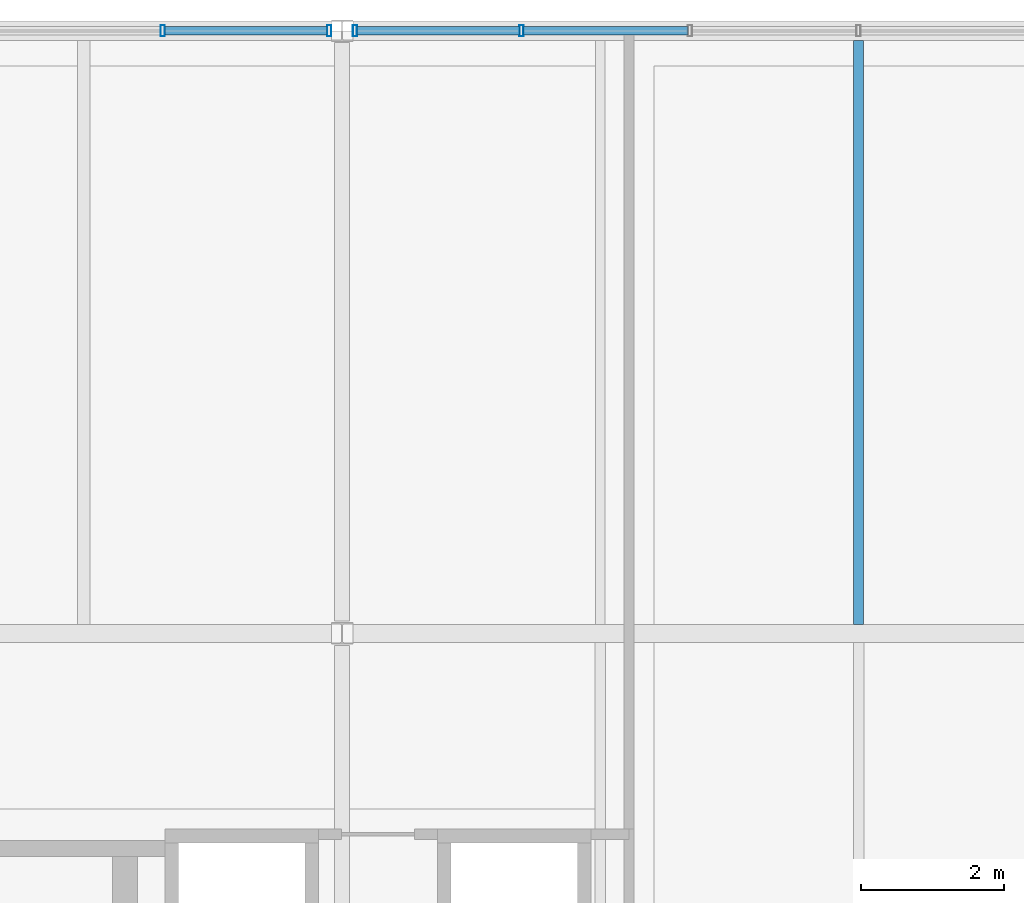
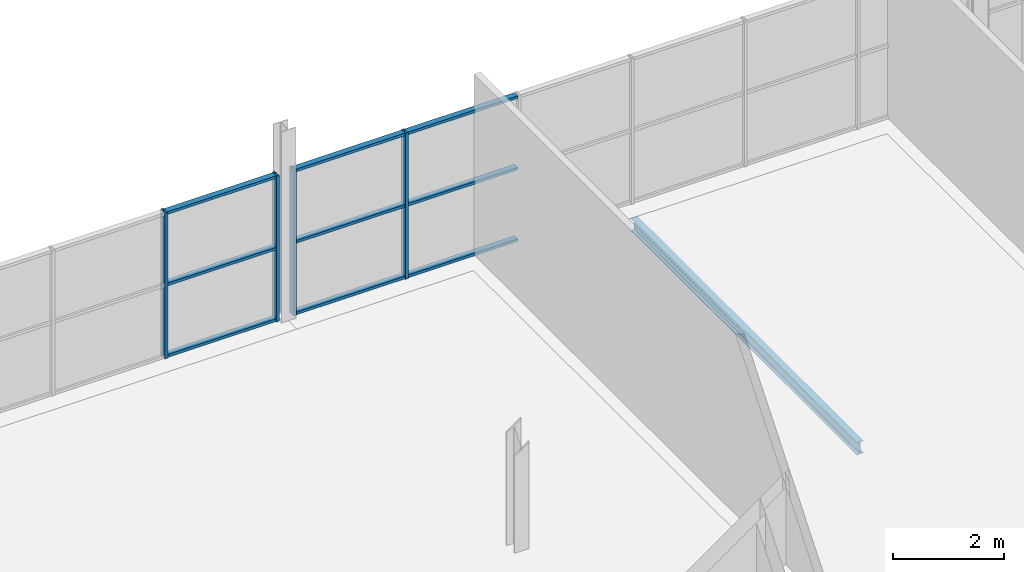
# One storey, part 38 of 68: 13 members, 1 beam, 2 elements without a shape of their own.
"""IFC4 building model written with IfcOpenShell, lengths in metres."""

from ifc_helpers import new_model, si_unit, direction, frame, origin, origin_2d, place, context, subcontext, project, spatial, hollow_rectangle, i_section, extrude, material, material_profile, profile_set, type_object, element, aggregate, save


model = new_model("IFC4")

# Units and contexts
model_context = context("Model", 3, precision=1e-05, world=origin(), true_north=direction((0.0, 1.0)))
body_context = subcontext(model_context, "Body", "Model", "MODEL_VIEW")
ifc_project = project(units=[si_unit("LENGTHUNIT", "METRE"), si_unit("AREAUNIT", "SQUARE_METRE"), si_unit("VOLUMEUNIT", "CUBIC_METRE"), si_unit("PLANEANGLEUNIT", "RADIAN"), si_unit("MASSUNIT", "GRAM", prefix="KILO"), si_unit("THERMODYNAMICTEMPERATUREUNIT", "KELVIN")], contexts=[model_context])

# Site, building, storey
site_placement = place(None, origin())
site = spatial("IfcSite", under=ifc_project, at=site_placement, CompositionType="ELEMENT")
building_placement = place(site_placement, origin())
building = spatial("IfcBuilding", under=site, at=building_placement, Name="Nduvali Passage Aquatics Centre", CompositionType="ELEMENT")
storey_placement = place(building_placement, frame((0.0, 0.0, 13.199951171875)))
storey = spatial("IfcBuildingStorey", under=building, at=storey_placement, Name="L03", CompositionType="ELEMENT", Elevation=13.199951171875)

# Curtain wall, members
ifc_material_1 = material(Name="Aluminium EN AW-6063 T6", Category="aluminium")
curtain_wall_type = type_object("IfcCurtainWallType", Name="ENV-CW-WELL", PredefinedType="NOTDEFINED", material=ifc_material_1)
curtain_wall_1_placement = place(storey_placement, origin())
curtain_wall_1 = element("IfcCurtainWall", 1, at=curtain_wall_1_placement, inside=storey, type_object=curtain_wall_type, Name="L03 North Avenue Teaching CW 105", PredefinedType="NOTDEFINED")
ifc_material_profile_1 = material_profile(ifc_material_1, hollow_rectangle(XDim=0.06005859375, YDim=0.159912109375, WallThickness=0.00390625, at=origin_2d()), Name="ALU MULLION 60x160x4")
ifc_profile_set_1 = profile_set([ifc_material_profile_1], Name="Aluminium EN AW-6063 T6")
member_type_1 = type_object("IfcMemberType", Name="ENV-MEM-MUL60", PredefinedType="MULLION", material=ifc_profile_set_1)
member_1_placement = place(storey_placement, frame((80.300048828125, 117.60009765625, 0.0), z_axis=(0.0, 0.0, 1.0), x_axis=(1.0, 0.0, 0.0)))
member_1 = element("IfcMember", 2, at=member_1_placement, type_object=member_type_1, Name="North Avenue Teaching CW Mullion 6", PredefinedType="MULLION", context=body_context, shape_type="SweptSolid", body=[
    extrude(hollow_rectangle(XDim=0.06005859375, YDim=0.159912109375, WallThickness=0.00390625, at=origin_2d()), origin(), (0.0, 0.0, 1.0), 3.203857421875),
])
member_2_placement = place(storey_placement, frame((82.6201171875, 117.60009765625, 0.0), z_axis=(0.0, 0.0, 1.0), x_axis=(1.0, 0.0, 0.0)))
member_2 = element("IfcMember", 3, at=member_2_placement, type_object=member_type_1, Name="North Avenue Teaching CW Mullion 7", PredefinedType="MULLION", context=body_context, shape_type="SweptSolid", body=[
    extrude(hollow_rectangle(XDim=0.06005859375, YDim=0.159912109375, WallThickness=0.00390625, at=origin_2d()), origin(), (0.0, 0.0, 1.0), 3.203857421875),
])

curtain_wall_2_placement = place(storey_placement, origin())
curtain_wall_2 = element("IfcCurtainWall", 4, at=curtain_wall_2_placement, inside=storey, type_object=curtain_wall_type, Name="L03 North Avenue Teaching CW 110", PredefinedType="NOTDEFINED")
member_3_placement = place(storey_placement, frame((82.97998046875, 117.60009765625, 0.0), z_axis=(0.0, 0.0, 1.0), x_axis=(1.0, 0.0, 0.0)))
member_3 = element("IfcMember", 5, at=member_3_placement, type_object=member_type_1, Name="North Avenue Teaching CW Mullion 1", PredefinedType="MULLION", context=body_context, shape_type="SweptSolid", body=[
    extrude(hollow_rectangle(XDim=0.06005859375, YDim=0.159912109375, WallThickness=0.00390625, at=origin_2d()), origin(), (0.0, 0.0, 1.0), 3.203857421875),
])
member_4_placement = place(storey_placement, frame((85.300048828125, 117.60009765625, 0.0), z_axis=(0.0, 0.0, 1.0), x_axis=(1.0, 0.0, 0.0)))
member_4 = element("IfcMember", 6, at=member_4_placement, type_object=member_type_1, Name="North Avenue Teaching CW Mullion 2", PredefinedType="MULLION", context=body_context, shape_type="SweptSolid", body=[
    extrude(hollow_rectangle(XDim=0.06005859375, YDim=0.159912109375, WallThickness=0.00390625, at=origin_2d()), origin(), (0.0, 0.0, 1.0), 3.203857421875),
])

# Member
ifc_material_profile_2 = material_profile(ifc_material_1, hollow_rectangle(XDim=0.1201171875, YDim=0.06005859375, WallThickness=0.00390625, at=origin_2d()), Name="ALU TRANSOM 120x60x4")
ifc_profile_set_2 = profile_set([ifc_material_profile_2], Name="Aluminium EN AW-6063 T6")
member_type_2 = type_object("IfcMemberType", Name="ENV-MEM-TRN60", PredefinedType="USERDEFINED", material=ifc_profile_set_2)
member_5_placement = place(storey_placement, frame((80.330078125, 117.60009765625, 0.030029296875), z_axis=(1.0, 0.0, 0.0), x_axis=(0.0, 1.0, 0.0)))
member_5 = element("IfcMember", 7, at=member_5_placement, type_object=member_type_2, Name="North Avenue Teaching CW Transom B6-R0", ObjectType="TRANSOM", PredefinedType="USERDEFINED", context=body_context, shape_type="SweptSolid", body=[
    extrude(hollow_rectangle(XDim=0.1201171875, YDim=0.06005859375, WallThickness=0.00390625, at=origin_2d()), origin(), (0.0, 0.0, 1.0), 2.260009765625),
])

member_6_placement = place(storey_placement, frame((80.330078125, 117.60009765625, 1.60205078125), z_axis=(1.0, 0.0, 0.0), x_axis=(0.0, 1.0, 0.0)))
member_6 = element("IfcMember", 8, at=member_6_placement, type_object=member_type_2, Name="North Avenue Teaching CW Transom B6-R1", ObjectType="TRANSOM", PredefinedType="USERDEFINED", context=body_context, shape_type="SweptSolid", body=[
    extrude(hollow_rectangle(XDim=0.1201171875, YDim=0.06005859375, WallThickness=0.00390625, at=origin_2d()), origin(), (0.0, 0.0, 1.0), 2.260009765625),
])

member_7_placement = place(storey_placement, frame((80.330078125, 117.60009765625, 3.173828125), z_axis=(1.0, 0.0, 0.0), x_axis=(0.0, 1.0, 0.0)))
member_7 = element("IfcMember", 9, at=member_7_placement, type_object=member_type_2, Name="North Avenue Teaching CW Transom B6-R2", ObjectType="TRANSOM", PredefinedType="USERDEFINED", context=body_context, shape_type="SweptSolid", body=[
    extrude(hollow_rectangle(XDim=0.1201171875, YDim=0.06005859375, WallThickness=0.00390625, at=origin_2d()), origin(), (0.0, 0.0, 1.0), 2.260009765625),
])

aggregate(curtain_wall_1, [member_1, member_2, member_5, member_6, member_7])

member_8_placement = place(storey_placement, frame((83.010009765625, 117.60009765625, 0.030029296875), z_axis=(1.0, 0.0, 0.0), x_axis=(0.0, 1.0, 0.0)))
member_8 = element("IfcMember", 10, at=member_8_placement, type_object=member_type_2, Name="North Avenue Teaching CW Transom B1-R0", ObjectType="TRANSOM", PredefinedType="USERDEFINED", context=body_context, shape_type="SweptSolid", body=[
    extrude(hollow_rectangle(XDim=0.1201171875, YDim=0.06005859375, WallThickness=0.00390625, at=origin_2d()), origin(), (0.0, 0.0, 1.0), 2.260009765625),
])

member_9_placement = place(storey_placement, frame((83.010009765625, 117.60009765625, 1.60205078125), z_axis=(1.0, 0.0, 0.0), x_axis=(0.0, 1.0, 0.0)))
member_9 = element("IfcMember", 11, at=member_9_placement, type_object=member_type_2, Name="North Avenue Teaching CW Transom B1-R1", ObjectType="TRANSOM", PredefinedType="USERDEFINED", context=body_context, shape_type="SweptSolid", body=[
    extrude(hollow_rectangle(XDim=0.1201171875, YDim=0.06005859375, WallThickness=0.00390625, at=origin_2d()), origin(), (0.0, 0.0, 1.0), 2.260009765625),
])

member_10_placement = place(storey_placement, frame((83.010009765625, 117.60009765625, 3.173828125), z_axis=(1.0, 0.0, 0.0), x_axis=(0.0, 1.0, 0.0)))
member_10 = element("IfcMember", 12, at=member_10_placement, type_object=member_type_2, Name="North Avenue Teaching CW Transom B1-R2", ObjectType="TRANSOM", PredefinedType="USERDEFINED", context=body_context, shape_type="SweptSolid", body=[
    extrude(hollow_rectangle(XDim=0.1201171875, YDim=0.06005859375, WallThickness=0.00390625, at=origin_2d()), origin(), (0.0, 0.0, 1.0), 2.260009765625),
])

member_11_placement = place(storey_placement, frame((85.330078125, 117.60009765625, 0.030029296875), z_axis=(1.0, 0.0, 0.0), x_axis=(0.0, 1.0, 0.0)))
member_11 = element("IfcMember", 13, at=member_11_placement, type_object=member_type_2, Name="North Avenue Teaching CW Transom B2-R0", ObjectType="TRANSOM", PredefinedType="USERDEFINED", context=body_context, shape_type="SweptSolid", body=[
    extrude(hollow_rectangle(XDim=0.1201171875, YDim=0.06005859375, WallThickness=0.00390625, at=origin_2d()), origin(), (0.0, 0.0, 1.0), 2.2900390625),
])

member_12_placement = place(storey_placement, frame((85.330078125, 117.60009765625, 1.60205078125), z_axis=(1.0, 0.0, 0.0), x_axis=(0.0, 1.0, 0.0)))
member_12 = element("IfcMember", 14, at=member_12_placement, type_object=member_type_2, Name="North Avenue Teaching CW Transom B2-R1", ObjectType="TRANSOM", PredefinedType="USERDEFINED", context=body_context, shape_type="SweptSolid", body=[
    extrude(hollow_rectangle(XDim=0.1201171875, YDim=0.06005859375, WallThickness=0.00390625, at=origin_2d()), origin(), (0.0, 0.0, 1.0), 2.2900390625),
])

member_13_placement = place(storey_placement, frame((85.330078125, 117.60009765625, 3.173828125), z_axis=(1.0, 0.0, 0.0), x_axis=(0.0, 1.0, 0.0)))
member_13 = element("IfcMember", 15, at=member_13_placement, type_object=member_type_2, Name="North Avenue Teaching CW Transom B2-R2", ObjectType="TRANSOM", PredefinedType="USERDEFINED", context=body_context, shape_type="SweptSolid", body=[
    extrude(hollow_rectangle(XDim=0.1201171875, YDim=0.06005859375, WallThickness=0.00390625, at=origin_2d()), origin(), (0.0, 0.0, 1.0), 2.2900390625),
])

aggregate(curtain_wall_2, [member_3, member_4, member_8, member_9, member_10, member_11, member_12, member_13])

# Beam
ifc_material_2 = material(Name="Steel S355", Category="steel")
ifc_material_profile_3 = material_profile(ifc_material_2, i_section(OverallWidth=0.135009765625, OverallDepth=0.27001953125, WebThickness=0.006591796875, FlangeThickness=0.01025390625, FilletRadius=0.014892578125, at=origin_2d()), Name="IPE 270")
ifc_profile_set_3 = profile_set([ifc_material_profile_3], Name="Steel S355")
beam_type = type_object("IfcBeamType", Name="STR-JST-IPE270", PredefinedType="JOIST", material=ifc_profile_set_3)
beam_placement = place(storey_placement, frame((90.0, 109.326904296875, -0.388916015625), z_axis=(0.0, 1.0, 0.0), x_axis=(-1.0, 0.0, 0.0)))
element("IfcBeam", 16, at=beam_placement, inside=storey, type_object=beam_type, Name="L03 Secondary Joist J8-1313", PredefinedType="JOIST", context=body_context, shape_type="SweptSolid", body=[
    extrude(i_section(OverallWidth=0.135009765625, OverallDepth=0.27001953125, WebThickness=0.006591796875, FlangeThickness=0.01025390625, FilletRadius=0.014892578125, at=origin_2d()), origin(), (0.0, 0.0, 1.0), 8.139892578125),
])

save(model, "model.ifc")
